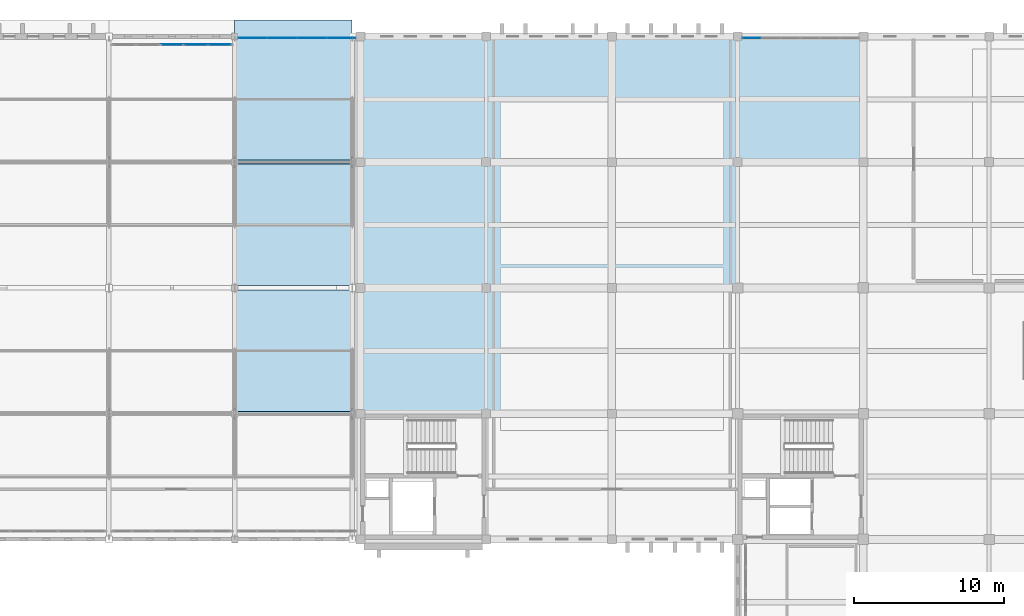
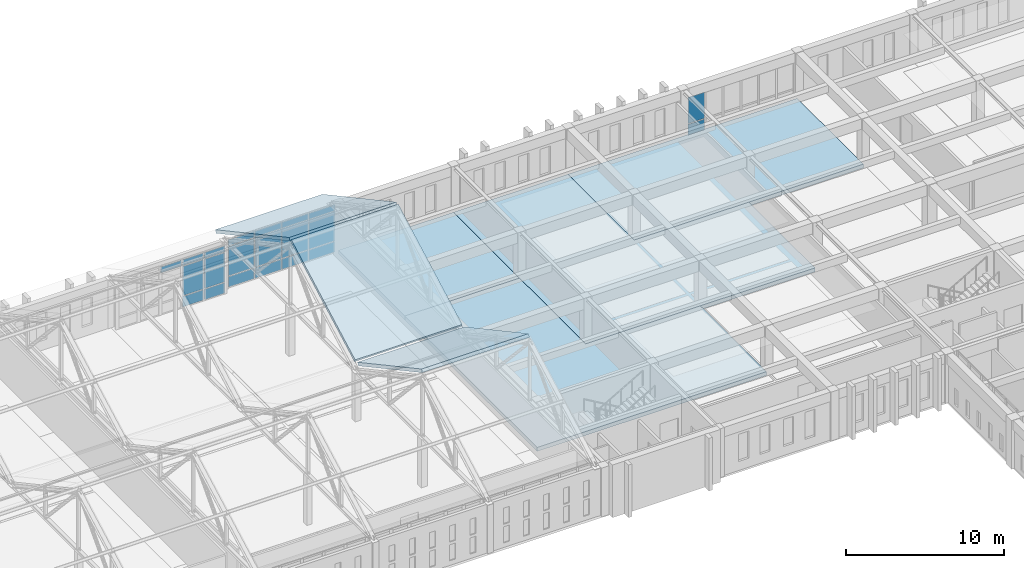
# One storey, part 61 of 110: 21 plates, 7 slabs, 3 elements without a shape of their own.
"""IFC4 building model written with IfcOpenShell, lengths in metres."""

from ifc_helpers import new_model, si_unit, direction, frame, origin, origin_2d, place, context, subcontext, project, spatial, polyline, rectangle, outline, extrude, material, layer, layer_set, type_object, element, aggregate, save


model = new_model("IFC4")

# Units and contexts
model_context = context("Model", 3, precision=1e-05, world=origin(), true_north=direction((0.0, 1.0)))
body_context = subcontext(model_context, "Body", "Model", "MODEL_VIEW")
ifc_project = project(units=[si_unit("LENGTHUNIT", "METRE"), si_unit("AREAUNIT", "SQUARE_METRE"), si_unit("VOLUMEUNIT", "CUBIC_METRE"), si_unit("PLANEANGLEUNIT", "RADIAN"), si_unit("MASSUNIT", "GRAM", prefix="KILO")], contexts=[model_context])

# Site, building, storey
site_placement = place(None, origin())
site = spatial("IfcSite", under=ifc_project, at=site_placement, CompositionType="ELEMENT")
building_placement = place(site_placement, origin())
building = spatial("IfcBuilding", under=site, at=building_placement, Name="Kveldsbrygga Polytechnic", CompositionType="ELEMENT")
storey_placement = place(building_placement, frame((0.0, 0.0, 9.860107421875)))
storey = spatial("IfcBuildingStorey", under=building, at=storey_placement, Name="L02", CompositionType="ELEMENT", Elevation=9.860107421875)

# Curtain wall, plates
ifc_material_1 = material(Name="Anodised aluminium AW-6060", Category="aluminium")
ifc_layer_1 = layer(ifc_material_1, 0.179931640625)
ifc_layer_set_1 = layer_set([ifc_layer_1], Name="Anodised aluminium AW-6060")
curtain_wall_type_1 = type_object("IfcCurtainWallType", Name="CW-LANC-D", PredefinedType="USERDEFINED", material=ifc_layer_set_1)
curtain_wall_1_placement = place(storey_placement, origin())
curtain_wall_1 = element("IfcCurtainWall", 1, at=curtain_wall_1_placement, inside=storey, type_object=curtain_wall_type_1, Name="Curtain Wall CW-L02-X-10-14", ObjectType="UNITISED CURTAIN WALL", PredefinedType="USERDEFINED")
ifc_material_2 = material(Name="Insulated triple low-E glass", Category="glass")
ifc_layer_2 = layer(ifc_material_2, 0.035888671875)
ifc_layer_set_2 = layer_set([ifc_layer_2], Name="Insulated triple low-E glass")
plate_type_1 = type_object("IfcPlateType", Name="CW-PAN-VIS36", PredefinedType="CURTAIN_PANEL", material=ifc_layer_set_2)
plate_1_placement = place(storey_placement, frame((88.20751953125, 117.050048828125, 3.260009765625), z_axis=(0.0, 0.0, 1.0), x_axis=(1.0, 0.0, 0.0)))
plate_1 = element("IfcPlate", 2, at=plate_1_placement, type_object=plate_type_1, Name="CW-04 panel 3.3", PredefinedType="CURTAIN_PANEL", context=body_context, shape_type="SweptSolid", body=[
    extrude(rectangle(XDim=1.52392578125, YDim=0.035888671875, at=origin_2d()), origin(), (0.0, 0.0, 1.0), 0.4599609375),
])
plate_2_placement = place(storey_placement, frame((89.806396484375, 117.050048828125, 0.059814453125), z_axis=(0.0, 0.0, 1.0), x_axis=(1.0, 0.0, 0.0)))
plate_2 = element("IfcPlate", 3, at=plate_2_placement, type_object=plate_type_1, Name="CW-04 panel 4.1", PredefinedType="CURTAIN_PANEL", context=body_context, shape_type="SweptSolid", body=[
    extrude(rectangle(XDim=1.52392578125, YDim=0.035888671875, at=origin_2d()), origin(), (0.0, 0.0, 1.0), 0.81005859375),
])
plate_3_placement = place(storey_placement, frame((89.806396484375, 117.050048828125, 0.929931640625), z_axis=(0.0, 0.0, 1.0), x_axis=(1.0, 0.0, 0.0)))
plate_3 = element("IfcPlate", 4, at=plate_3_placement, type_object=plate_type_1, Name="CW-04 panel 4.2", PredefinedType="CURTAIN_PANEL", context=body_context, shape_type="SweptSolid", body=[
    extrude(rectangle(XDim=1.52392578125, YDim=0.035888671875, at=origin_2d()), origin(), (0.0, 0.0, 1.0), 2.27001953125),
])
plate_4_placement = place(storey_placement, frame((89.806396484375, 117.050048828125, 3.260009765625), z_axis=(0.0, 0.0, 1.0), x_axis=(1.0, 0.0, 0.0)))
plate_4 = element("IfcPlate", 5, at=plate_4_placement, type_object=plate_type_1, Name="CW-04 panel 4.3", PredefinedType="CURTAIN_PANEL", context=body_context, shape_type="SweptSolid", body=[
    extrude(rectangle(XDim=1.52392578125, YDim=0.035888671875, at=origin_2d()), origin(), (0.0, 0.0, 1.0), 0.4599609375),
])
plate_5_placement = place(storey_placement, frame((91.38671875, 117.050048828125, 0.059814453125), z_axis=(0.0, 0.0, 1.0), x_axis=(1.0, 0.0, 0.0)))
plate_5 = element("IfcPlate", 6, at=plate_5_placement, type_object=plate_type_1, Name="CW-04 panel 5.1", PredefinedType="CURTAIN_PANEL", context=body_context, shape_type="SweptSolid", body=[
    extrude(rectangle(XDim=1.486572265625, YDim=0.035888671875, at=origin_2d()), origin(), (0.0, 0.0, 1.0), 0.81005859375),
])
plate_6_placement = place(storey_placement, frame((91.38671875, 117.050048828125, 0.929931640625), z_axis=(0.0, 0.0, 1.0), x_axis=(1.0, 0.0, 0.0)))
plate_6 = element("IfcPlate", 7, at=plate_6_placement, type_object=plate_type_1, Name="CW-04 panel 5.2", PredefinedType="CURTAIN_PANEL", context=body_context, shape_type="SweptSolid", body=[
    extrude(rectangle(XDim=1.486572265625, YDim=0.035888671875, at=origin_2d()), origin(), (0.0, 0.0, 1.0), 2.27001953125),
])
plate_7_placement = place(storey_placement, frame((91.38671875, 117.050048828125, 3.260009765625), z_axis=(0.0, 0.0, 1.0), x_axis=(1.0, 0.0, 0.0)))
plate_7 = element("IfcPlate", 8, at=plate_7_placement, type_object=plate_type_1, Name="CW-04 panel 5.3", PredefinedType="CURTAIN_PANEL", context=body_context, shape_type="SweptSolid", body=[
    extrude(rectangle(XDim=1.486572265625, YDim=0.035888671875, at=origin_2d()), origin(), (0.0, 0.0, 1.0), 0.4599609375),
])
aggregate(curtain_wall_1, [plate_1, plate_2, plate_3, plate_4, plate_5, plate_6, plate_7])

ifc_layer_3 = layer(ifc_material_1, 0.179931640625)
ifc_layer_set_3 = layer_set([ifc_layer_3], Name="Anodised aluminium AW-6060")
curtain_wall_type_2 = type_object("IfcCurtainWallType", Name="CW-CONC-A", PredefinedType="USERDEFINED", material=ifc_layer_set_3)
curtain_wall_2_placement = place(storey_placement, origin())
curtain_wall_2 = element("IfcCurtainWall", 9, at=curtain_wall_2_placement, inside=storey, type_object=curtain_wall_type_2, Name="Curtain Wall CW-L02-X-15-14", ObjectType="UNITISED CURTAIN WALL", PredefinedType="USERDEFINED")
plate_8_placement = place(storey_placement, frame((126.943359375, 117.5, 0.059814453125), z_axis=(0.0, 0.0, 1.0), x_axis=(1.0, 0.0, 0.0)))
plate_8 = element("IfcPlate", 10, at=plate_8_placement, type_object=plate_type_1, Name="CW-01 panel 1.1", PredefinedType="CURTAIN_PANEL", context=body_context, shape_type="SweptSolid", body=[
    extrude(rectangle(XDim=1.216552734375, YDim=0.035888671875, at=origin_2d()), origin(), (0.0, 0.0, 1.0), 0.81005859375),
])
plate_9_placement = place(storey_placement, frame((126.943359375, 117.5, 0.929931640625), z_axis=(0.0, 0.0, 1.0), x_axis=(1.0, 0.0, 0.0)))
plate_9 = element("IfcPlate", 11, at=plate_9_placement, type_object=plate_type_1, Name="CW-01 panel 1.2", PredefinedType="CURTAIN_PANEL", context=body_context, shape_type="SweptSolid", body=[
    extrude(rectangle(XDim=1.216552734375, YDim=0.035888671875, at=origin_2d()), origin(), (0.0, 0.0, 1.0), 2.02001953125),
])
aggregate(curtain_wall_2, [plate_8, plate_9])

ifc_layer_4 = layer(ifc_material_1, 0.199951171875)
ifc_layer_set_4 = layer_set([ifc_layer_4], Name="Anodised aluminium AW-6060")
curtain_wall_type_3 = type_object("IfcCurtainWallType", Name="CW-LANC-E", PredefinedType="USERDEFINED", material=ifc_layer_set_4)
curtain_wall_3_placement = place(storey_placement, origin())
curtain_wall_3 = element("IfcCurtainWall", 12, at=curtain_wall_3_placement, inside=storey, type_object=curtain_wall_type_3, Name="Curtain Wall CW-L02-X-11-14", ObjectType="UNITISED CURTAIN WALL", PredefinedType="USERDEFINED")
ifc_layer_5 = layer(ifc_material_2, 0.0419921875)
ifc_layer_set_5 = layer_set([ifc_layer_5], Name="Insulated triple low-E glass")
plate_type_2 = type_object("IfcPlateType", Name="CW-PAN-VIS42", PredefinedType="CURTAIN_PANEL", material=ifc_layer_set_5)
plate_10_placement = place(storey_placement, frame((93.60009765625, 117.5, 0.059814453125), z_axis=(0.0, 0.0, 1.0), x_axis=(1.0, 0.0, 0.0)))
plate_10 = element("IfcPlate", 13, at=plate_10_placement, type_object=plate_type_2, Name="CW-05 panel 1.1", PredefinedType="CURTAIN_PANEL", context=body_context, shape_type="SweptSolid", body=[
    extrude(rectangle(XDim=1.889892578125, YDim=0.0419921875, at=origin_2d()), origin(), (0.0, 0.0, 1.0), 0.81005859375),
])
plate_11_placement = place(storey_placement, frame((93.60009765625, 117.5, 0.929931640625), z_axis=(0.0, 0.0, 1.0), x_axis=(1.0, 0.0, 0.0)))
plate_11 = element("IfcPlate", 14, at=plate_11_placement, type_object=plate_type_2, Name="CW-05 panel 1.2", PredefinedType="CURTAIN_PANEL", context=body_context, shape_type="SweptSolid", body=[
    extrude(rectangle(XDim=1.889892578125, YDim=0.0419921875, at=origin_2d()), origin(), (0.0, 0.0, 1.0), 2.27001953125),
])
plate_12_placement = place(storey_placement, frame((93.60009765625, 117.5, 3.260009765625), z_axis=(0.0, 0.0, 1.0), x_axis=(1.0, 0.0, 0.0)))
plate_12 = element("IfcPlate", 15, at=plate_12_placement, type_object=plate_type_2, Name="CW-05 panel 1.3", PredefinedType="CURTAIN_PANEL", context=body_context, shape_type="SweptSolid", body=[
    extrude(rectangle(XDim=1.889892578125, YDim=0.0419921875, at=origin_2d()), origin(), (0.0, 0.0, 1.0), 0.4599609375),
])
plate_13_placement = place(storey_placement, frame((95.56494140625, 117.5, 0.059814453125), z_axis=(0.0, 0.0, 1.0), x_axis=(1.0, 0.0, 0.0)))
plate_13 = element("IfcPlate", 16, at=plate_13_placement, type_object=plate_type_2, Name="CW-05 panel 2.1", PredefinedType="CURTAIN_PANEL", context=body_context, shape_type="SweptSolid", body=[
    extrude(rectangle(XDim=1.919921875, YDim=0.0419921875, at=origin_2d()), origin(), (0.0, 0.0, 1.0), 0.81005859375),
])
plate_14_placement = place(storey_placement, frame((95.56494140625, 117.5, 0.929931640625), z_axis=(0.0, 0.0, 1.0), x_axis=(1.0, 0.0, 0.0)))
plate_14 = element("IfcPlate", 17, at=plate_14_placement, type_object=plate_type_2, Name="CW-05 panel 2.2", PredefinedType="CURTAIN_PANEL", context=body_context, shape_type="SweptSolid", body=[
    extrude(rectangle(XDim=1.919921875, YDim=0.0419921875, at=origin_2d()), origin(), (0.0, 0.0, 1.0), 2.27001953125),
])
plate_15_placement = place(storey_placement, frame((95.56494140625, 117.5, 3.260009765625), z_axis=(0.0, 0.0, 1.0), x_axis=(1.0, 0.0, 0.0)))
plate_15 = element("IfcPlate", 18, at=plate_15_placement, type_object=plate_type_2, Name="CW-05 panel 2.3", PredefinedType="CURTAIN_PANEL", context=body_context, shape_type="SweptSolid", body=[
    extrude(rectangle(XDim=1.919921875, YDim=0.0419921875, at=origin_2d()), origin(), (0.0, 0.0, 1.0), 0.4599609375),
])
plate_16_placement = place(storey_placement, frame((97.544921875, 117.5, 0.059814453125), z_axis=(0.0, 0.0, 1.0), x_axis=(1.0, 0.0, 0.0)))
plate_16 = element("IfcPlate", 19, at=plate_16_placement, type_object=plate_type_2, Name="CW-05 panel 3.1", PredefinedType="CURTAIN_PANEL", context=body_context, shape_type="SweptSolid", body=[
    extrude(rectangle(XDim=1.919921875, YDim=0.0419921875, at=origin_2d()), origin(), (0.0, 0.0, 1.0), 0.81005859375),
])
plate_17_placement = place(storey_placement, frame((97.544921875, 117.5, 0.929931640625), z_axis=(0.0, 0.0, 1.0), x_axis=(1.0, 0.0, 0.0)))
plate_17 = element("IfcPlate", 20, at=plate_17_placement, type_object=plate_type_2, Name="CW-05 panel 3.2", PredefinedType="CURTAIN_PANEL", context=body_context, shape_type="SweptSolid", body=[
    extrude(rectangle(XDim=1.919921875, YDim=0.0419921875, at=origin_2d()), origin(), (0.0, 0.0, 1.0), 2.27001953125),
])
plate_18_placement = place(storey_placement, frame((97.544921875, 117.5, 3.260009765625), z_axis=(0.0, 0.0, 1.0), x_axis=(1.0, 0.0, 0.0)))
plate_18 = element("IfcPlate", 21, at=plate_18_placement, type_object=plate_type_2, Name="CW-05 panel 3.3", PredefinedType="CURTAIN_PANEL", context=body_context, shape_type="SweptSolid", body=[
    extrude(rectangle(XDim=1.919921875, YDim=0.0419921875, at=origin_2d()), origin(), (0.0, 0.0, 1.0), 0.4599609375),
])
plate_19_placement = place(storey_placement, frame((99.510009765625, 117.5, 0.059814453125), z_axis=(0.0, 0.0, 1.0), x_axis=(1.0, 0.0, 0.0)))
plate_19 = element("IfcPlate", 22, at=plate_19_placement, type_object=plate_type_2, Name="CW-05 panel 4.1", PredefinedType="CURTAIN_PANEL", context=body_context, shape_type="SweptSolid", body=[
    extrude(rectangle(XDim=1.889892578125, YDim=0.0419921875, at=origin_2d()), origin(), (0.0, 0.0, 1.0), 0.81005859375),
])
plate_20_placement = place(storey_placement, frame((99.510009765625, 117.5, 0.929931640625), z_axis=(0.0, 0.0, 1.0), x_axis=(1.0, 0.0, 0.0)))
plate_20 = element("IfcPlate", 23, at=plate_20_placement, type_object=plate_type_2, Name="CW-05 panel 4.2", PredefinedType="CURTAIN_PANEL", context=body_context, shape_type="SweptSolid", body=[
    extrude(rectangle(XDim=1.889892578125, YDim=0.0419921875, at=origin_2d()), origin(), (0.0, 0.0, 1.0), 2.27001953125),
])
plate_21_placement = place(storey_placement, frame((99.510009765625, 117.5, 3.260009765625), z_axis=(0.0, 0.0, 1.0), x_axis=(1.0, 0.0, 0.0)))
plate_21 = element("IfcPlate", 24, at=plate_21_placement, type_object=plate_type_2, Name="CW-05 panel 4.3", PredefinedType="CURTAIN_PANEL", context=body_context, shape_type="SweptSolid", body=[
    extrude(rectangle(XDim=1.889892578125, YDim=0.0419921875, at=origin_2d()), origin(), (0.0, 0.0, 1.0), 0.4599609375),
])
aggregate(curtain_wall_3, [plate_10, plate_11, plate_12, plate_13, plate_14, plate_15, plate_16, plate_17, plate_18, plate_19, plate_20, plate_21])

# Slabs
ifc_material_3 = material(Name="Concrete C35/45", Category="concrete")
ifc_layer_6 = layer(ifc_material_3, 0.300048828125)
ifc_layer_set_6 = layer_set([ifc_layer_6], Name="Concrete C35/45")
slab_type_1 = type_object("IfcSlabType", Name="SLB-LAB-300", PredefinedType="FLOOR", material=ifc_layer_set_6)
slab_1_placement = place(storey_placement, frame((0.0, 0.0, -0.300048828125)))
element("IfcSlab", 25, at=slab_1_placement, inside=storey, type_object=slab_type_1, Name="Slab SLB-L02-V4-L01-1", PredefinedType="FLOOR", context=body_context, shape_type="SweptSolid", body=[
    extrude(outline(polyline([(100.800048828125, 92.39990234375), (100.800048828125, 100.800048828125), (100.800048828125, 109.199951171875), (109.199951171875, 109.199951171875), (109.199951171875, 100.800048828125), (117.60009765625, 100.800048828125), (117.60009765625, 92.39990234375), (109.199951171875, 92.39990234375), (100.800048828125, 92.39990234375)])), origin(), (0.0, 0.0, 1.0), 0.300048828125),
])
slab_2_placement = place(storey_placement, frame((0.0, 0.0, -0.300048828125)))
element("IfcSlab", 26, at=slab_2_placement, inside=storey, type_object=slab_type_1, Name="Slab SLB-L02-V4-L02-1", PredefinedType="FLOOR", context=body_context, shape_type="SweptSolid", body=[
    extrude(outline(polyline([(109.199951171875, 100.800048828125), (109.199951171875, 109.199951171875), (109.199951171875, 117.60009765625), (117.60009765625, 117.60009765625), (117.60009765625, 109.199951171875), (126.0, 109.199951171875), (126.0, 100.800048828125), (117.60009765625, 100.800048828125), (109.199951171875, 100.800048828125)])), origin(), (0.0, 0.0, 1.0), 0.300048828125),
])
slab_3_placement = place(storey_placement, frame((0.0, 0.0, -0.300048828125)))
element("IfcSlab", 27, at=slab_3_placement, inside=storey, type_object=slab_type_1, Name="Slab SLB-L02-V4-Z8-2", PredefinedType="FLOOR", context=body_context, shape_type="SweptSolid", body=[
    extrude(outline(polyline([(100.800048828125, 117.60009765625), (109.199951171875, 117.60009765625), (109.199951171875, 109.199951171875), (100.800048828125, 109.199951171875), (100.800048828125, 117.60009765625)])), origin(), (0.0, 0.0, 1.0), 0.300048828125),
])
slab_4_placement = place(storey_placement, frame((0.0, 0.0, -0.300048828125)))
element("IfcSlab", 28, at=slab_4_placement, inside=storey, type_object=slab_type_1, Name="Slab SLB-L02-V4-Z9-4", PredefinedType="FLOOR", context=body_context, shape_type="SweptSolid", body=[
    extrude(outline(polyline([(126.0, 117.60009765625), (134.39990234375, 117.60009765625), (134.39990234375, 109.199951171875), (126.0, 109.199951171875), (117.60009765625, 109.199951171875), (117.60009765625, 117.60009765625), (126.0, 117.60009765625)])), origin(), (0.0, 0.0, 1.0), 0.300048828125),
])
ifc_layer_7 = layer(ifc_material_3, 0.239990234375)
ifc_layer_set_7 = layer_set([ifc_layer_7], Name="Concrete C35/45")
slab_type_2 = type_object("IfcSlabType", Name="SLB-ROOF-240", PredefinedType="ROOF", material=ifc_layer_set_7)
for number, where, z_axis, x_axis, name in (
    (29, (92.39990234375, 92.5341796875, 8.939453125), (0.0, 0.476281444297, 0.879292889666), (1.0, 0.0, 0.0), "Pitched Roof Slab V2L1-RSLB-7-2"),
    (30, (92.39990234375, 100.949951171875, 4.54345703125), (0.0, -0.476281444297, 0.879292889666), (1.0, 0.0, 0.0), "Pitched Roof Slab V2L2-RSLB-7-1"),
):
    element("IfcSlab", number, at=place(storey_placement, frame(where, z_axis=z_axis, x_axis=x_axis)), inside=storey, type_object=slab_type_2, Name=name, PredefinedType="ROOF", context=body_context, shape_type="SweptSolid", body=[
        extrude(outline(polyline([(0.0, 0.0), (7.85009765625, 0.0), (7.85009765625, 9.22982859480255), (0.0, 9.22982859480255), (0.0, 0.0)])), origin(), (0.0, 0.0, -1.0), 0.239990234375),
    ])
slab_5_placement = place(storey_placement, frame((92.39990234375, 109.334228515625, 8.939453125), z_axis=(0.0, 0.476275764573, 0.879295966146), x_axis=(1.0, 0.0, 0.0)))
element("IfcSlab", 31, at=slab_5_placement, inside=storey, type_object=slab_type_2, Name="Pitched Roof Slab V2L2-RSLB-7-2", PredefinedType="ROOF", context=body_context, shape_type="SweptSolid", body=[
    extrude(outline(polyline([(0.0, 0.0), (7.85009765625, 0.0), (7.85009765625, 10.651388175134361), (0.0, 10.651388175134361), (0.0, 0.0)])), origin(), (0.0, 0.0, -1.0), 0.239990234375),
])

save(model, "model.ifc")
